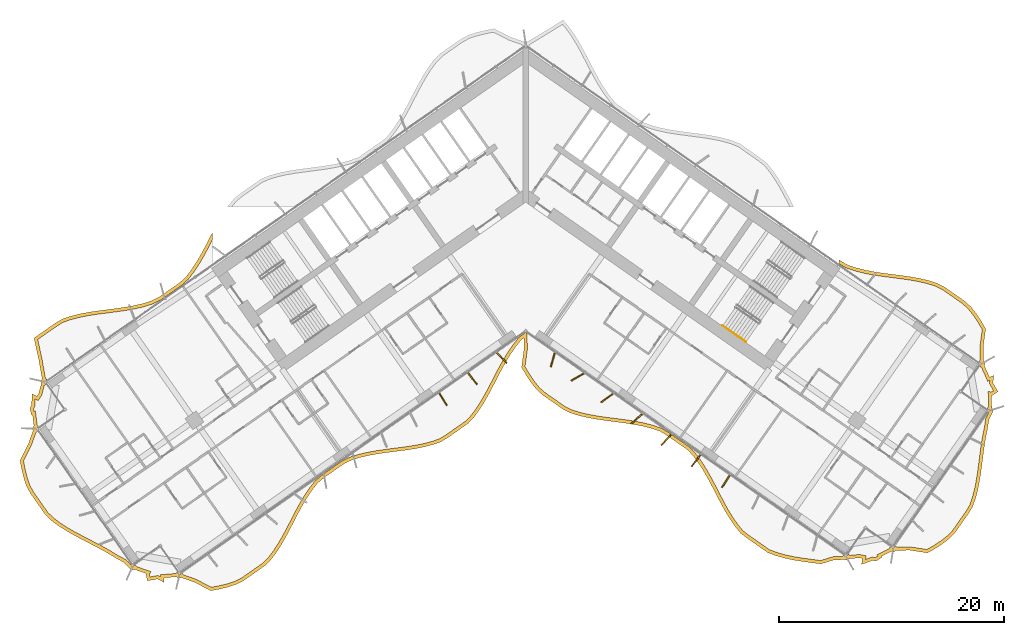
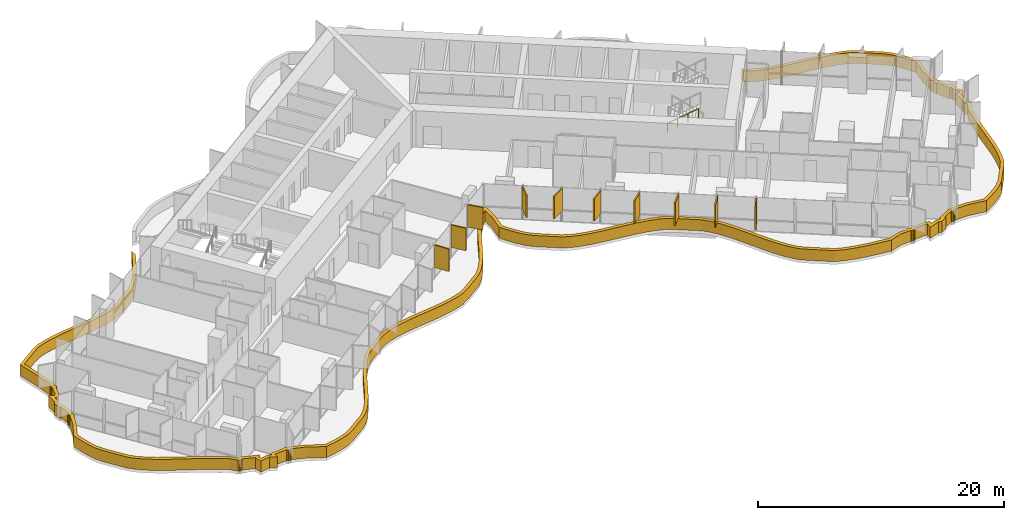
# One storey, part 20 of 23: 11 shading devices, 1 railing.
"""IFC4 building model written with IfcOpenShell, lengths in metres."""

from ifc_helpers import new_model, si_unit, direction, frame, origin, origin_2d, place, context, subcontext, project, spatial, polyline, rectangle, circle, outline, extrude, material, layer, layer_set, type_object, element, save


model = new_model("IFC4")

# Units and contexts
model_context = context("Model", 3, precision=1e-05, world=origin(), true_north=direction((0.0, 1.0)))
body_context = subcontext(model_context, "Body", "Model", "MODEL_VIEW")
ifc_project = project(units=[si_unit("LENGTHUNIT", "METRE"), si_unit("AREAUNIT", "SQUARE_METRE"), si_unit("VOLUMEUNIT", "CUBIC_METRE"), si_unit("PLANEANGLEUNIT", "RADIAN"), si_unit("MASSUNIT", "GRAM", prefix="KILO")], contexts=[model_context])

# Site, building, storey
site_placement = place(None, origin())
site = spatial("IfcSite", under=ifc_project, at=site_placement, CompositionType="ELEMENT")
building_placement = place(site_placement, origin())
building = spatial("IfcBuilding", under=site, at=building_placement, Name="Tel Ilan Convention Tower", CompositionType="ELEMENT")
storey_placement = place(building_placement, frame((0.0, 0.0, 83.300048828125)))
storey = spatial("IfcBuildingStorey", under=building, at=storey_placement, Name="L16", CompositionType="ELEMENT", Elevation=83.300048828125)

# Shading devices
ifc_material_1 = material(Name="Aluminium, bronze anodised", Category="aluminium")
ifc_layer_1 = layer(ifc_material_1, 0.1201171875)
ifc_layer_set_1 = layer_set([ifc_layer_1], Name="FIN BRONZE 1300x120")
shading_device_type_1 = type_object("IfcShadingDeviceType", Name="FIN BRONZE 1300x120", PredefinedType="USERDEFINED", material=ifc_layer_set_1)
for number, where, z_axis, x_axis, name in (
    (1, (-7.36181640625, -18.7685546875, 1.10009765625), (0.0, 0.0, 1.0), (0.533204432798, -0.845986425922, 0.0), "FIN"),
    (2, (-4.740234375, -16.932861328125, 1.10009765625), (0.0, 0.0, 1.0), (0.612600545196, -0.790392669516, 0.0), "FIN"),
    (3, (-2.119140625, -15.09716796875, 1.10009765625), (0.0, 0.0, 1.0), (0.686241637865, -0.727373641577, 0.0), "FIN"),
    (4, (2.40966796875, -15.27734375, 1.10009765625), (0.0, 0.0, 1.0), (-0.268172612768, -0.963370878614, 0.0), "FIN"),
    (5, (4.613037109375, -16.797607421875, 1.10009765625), (0.0, 0.0, 1.0), (-0.866025403784, -0.5, 0.0), "FIN"),
    (6, (7.2451171875, -18.663330078125, 1.10009765625), (0.0, 0.0, 1.0), (-0.813552070258, -0.581492071294, 0.0), "FIN"),
    (7, (9.882568359375, -20.525146484375, 1.10009765625), (0.0, 0.0, 1.0), (-0.753435896329, -0.657521368568, 0.0), "FIN"),
    (8, (12.524658203125, -22.383056640625, 1.10009765625), (0.0, 0.0, 1.0), (-0.686241637865, -0.727373641577, 0.0), "FIN"),
    (9, (15.1708984375, -24.236328125, 1.10009765625), (0.0, 0.0, 1.0), (-0.612600545196, -0.790392669516, 0.0), "FIN"),
    (10, (17.8173828125, -26.089599609375, 1.10009765625), (0.0, 0.0, 1.0), (-0.533204432798, -0.845986425922, 0.0), "FIN"),
):
    element("IfcShadingDevice", number, at=place(storey_placement, frame(where, z_axis=z_axis, x_axis=x_axis)), inside=storey, type_object=shading_device_type_1, Name=name, ObjectType="FIN", PredefinedType="USERDEFINED", context=body_context, shape_type="SweptSolid", body=[
        extrude(rectangle(XDim=1.300048828125, YDim=0.1201171875, at=origin_2d()), origin(), (0.0, 0.0, 1.0), 2.219970703125),
    ])
ifc_material_2 = material(Name="Aluminium, bronze anodised", Category="aluminium")
ifc_layer_2 = layer(ifc_material_2, 0.300048828125)
ifc_layer_set_2 = layer_set([ifc_layer_2], Name="LOUVRE BAND 300x1100")
shading_device_type_2 = type_object("IfcShadingDeviceType", Name="LOUVRE BAND 300x1100", PredefinedType="USERDEFINED", material=ifc_layer_set_2)
shading_device_placement = place(storey_placement, origin())
element("IfcShadingDevice", 11, at=shading_device_placement, inside=storey, type_object=shading_device_type_2, Name="LOUVRE BAND 15.01", ObjectType="LOUVRE", PredefinedType="USERDEFINED", context=body_context, shape_type="SweptSolid", body=[
    extrude(outline(polyline([(-44.2939453125, -22.77490234375), (-45.028564453125, -24.204833984375), (-44.876953125, -25.01416015625), (-44.68408203125, -25.794677734375), (-44.4384765625, -26.538330078125), (-44.07080078125, -27.196533203125), (-42.7802734375, -29.03955078125), (-42.232421875, -29.571533203125), (-41.598876953125, -30.04345703125), (-40.91650390625, -30.481201171875), (-40.196533203125, -30.892822265625), (-39.45263671875, -31.287353515625), (-37.949462890625, -32.066162109375), (-37.219970703125, -32.470947265625), (-36.523681640625, -32.89892578125), (-35.783203125, -33.2958984375), (-35.26318359375, -33.847412109375), (-35.258544921875, -33.843994140625), (-35.2294921875, -33.887451171875), (-35.13232421875, -33.952392578125), (-35.017578125, -33.975341796875), (-34.902587890625, -33.952392578125), (-34.8486328125, -33.91650390625), (-33.810546875, -34.284912109375), (-33.821533203125, -34.302734375), (-33.688720703125, -34.9423828125), (-32.80029296875, -34.774658203125), (-32.20068359375, -35.082763671875), (-32.199462890625, -34.66796875), (-31.080322265625, -34.580810546875), (-31.051513671875, -34.624267578125), (-30.9541015625, -34.689208984375), (-30.83935546875, -34.7119140625), (-30.724365234375, -34.689208984375), (-30.67041015625, -34.653076171875), (-29.47802734375, -35.069091796875), (-28.049560546875, -35.822265625), (-27.250732421875, -35.676025390625), (-26.48095703125, -35.488525390625), (-25.74609375, -35.2509765625), (-25.0888671875, -34.90234375), (-23.27490234375, -33.63232421875), (-22.733642578125, -33.117919921875), (-22.262939453125, -32.50341796875), (-21.826416015625, -31.839599609375), (-21.4169921875, -31.13720703125), (-21.026123046875, -30.408935546875), (-20.2607421875, -28.927978515625), (-19.86669921875, -28.20361328125), (-19.45263671875, -27.5078125), (-19.010009765625, -26.85302734375), (-18.53173828125, -26.249267578125), (-17.96875, -25.76611328125), (-16.154541015625, -24.495849609375), (-15.474853515625, -24.1796875), (-14.732666015625, -23.952880859375), (-13.95654296875, -23.774169921875), (-13.154296875, -23.6328125), (-12.334716796875, -23.516357421875), (-10.681640625, -23.30322265625), (-9.86767578125, -23.178466796875), (-9.074951171875, -23.023681640625), (-8.3115234375, -22.8271484375), (-7.584228515625, -22.57861328125), (-6.9482421875, -22.2001953125), (-5.134033203125, -20.929931640625), (-4.616455078125, -20.38232421875), (-4.15283203125, -19.75732421875), (-3.722412109375, -19.0849609375), (-3.3173828125, -18.37646484375), (-2.9287109375, -17.644287109375), (-2.16259765625, -16.16455078125), (-1.765380859375, -15.44482421875), (-1.346435546875, -14.75634765625), (-0.897216796875, -14.110595703125), (-0.422119140625, -13.502197265625), (-0.16845703125, -13.315185546875), (-0.153564453125, -14.330078125), (-0.367919921875, -15.928955078125), (0.045166015625, -16.631591796875), (0.487060546875, -17.29296875), (0.964599609375, -17.90380859375), (1.52197265625, -18.400634765625), (3.343994140625, -19.676513671875), (4.02001953125, -20.003662109375), (4.763427734375, -20.234375), (5.54150390625, -20.416015625), (6.34619140625, -20.559326171875), (7.1689453125, -20.67724609375), (8.829345703125, -20.89111328125), (9.647216796875, -21.015625), (10.444091796875, -21.17041015625), (11.211669921875, -21.366943359375), (11.9423828125, -21.61572265625), (12.582275390625, -21.99462890625), (14.404541015625, -23.2705078125), (14.92333984375, -23.822021484375), (15.388427734375, -24.450439453125), (15.8203125, -25.12646484375), (16.2265625, -25.8388671875), (16.61669921875, -26.574462890625), (17.38623046875, -28.060546875), (17.785888671875, -28.782470703125), (18.2080078125, -29.47216796875), (18.660888671875, -30.1181640625), (19.1513671875, -30.71044921875), (19.742431640625, -31.158935546875), (21.564697265625, -32.4345703125), (22.281005859375, -32.7041015625), (23.03662109375, -32.917724609375), (23.824462890625, -33.08544921875), (24.635986328125, -33.218994140625), (26.29443359375, -33.435546875), (27.448974609375, -33.079345703125), (28.376953125, -33.047119140625), (28.430908203125, -33.083251953125), (28.545654296875, -33.10595703125), (28.660400390625, -33.083251953125), (28.7578125, -33.01806640625), (28.786865234375, -32.974853515625), (29.716796875, -32.8935546875), (29.97412109375, -32.9453125), (29.9072265625, -33.476806640625), (30.8779296875, -33.126708984375), (31.183837890625, -33.188232421875), (31.7392578125, -32.8447265625), (31.685546875, -32.75439453125), (32.554931640625, -32.310302734375), (32.609130859375, -32.346435546875), (32.723876953125, -32.369384765625), (32.838623046875, -32.346435546875), (32.93603515625, -32.281494140625), (32.96484375, -32.238037109375), (34.16845703125, -32.208740234375), (35.769775390625, -32.4580078125), (36.4619140625, -32.07080078125), (37.104736328125, -31.64892578125), (37.701904296875, -31.195068359375), (38.212890625, -30.680908203125), (39.44189453125, -28.925537109375), (39.810791015625, -28.311767578125), (40.0537109375, -27.60986328125), (40.247314453125, -26.87353515625), (40.40087890625, -26.109130859375), (40.52490234375, -25.323974609375), (40.841064453125, -22.929443359375), (40.969970703125, -22.147705078125), (41.12841796875, -21.386474609375), (41.24267578125, -20.594482421875), (41.568603515625, -19.963134765625), (41.568603515625, -19.950927734375), (41.604736328125, -19.896728515625), (41.62744140625, -19.781982421875), (41.604736328125, -19.667236328125), (41.53955078125, -19.56982421875), (41.496337890625, -19.541015625), (41.487548828125, -18.439453125), (41.508056640625, -18.443603515625), (42.063720703125, -18.10009765625), (41.602294921875, -17.322509765625), (41.686767578125, -16.65380859375), (41.29638671875, -16.79443359375), (40.831787109375, -15.772705078125), (40.867919921875, -15.71875), (40.890869140625, -15.603759765625), (40.867919921875, -15.489013671875), (40.802978515625, -15.3916015625), (40.759521484375, -15.36279296875), (40.743408203125, -14.096435546875), (40.96044921875, -12.496826171875), (40.548828125, -11.795654296875), (40.108154296875, -11.13525390625), (39.63232421875, -10.525390625), (39.078125, -10.02783203125), (37.260498046875, -8.755126953125), (36.5888671875, -8.4248046875), (35.84814453125, -8.193115234375), (35.072998046875, -8.0107421875), (34.27099609375, -7.86669921875), (33.450927734375, -7.748779296875), (31.79443359375, -7.535400390625), (30.97802734375, -7.412109375), (30.181884765625, -7.259521484375), (29.414794921875, -7.0654296875), (28.68408203125, -6.820068359375), (28.040283203125, -6.44970703125), (27.874755859375, -6.333740234375), (27.874755859375, -6.70068359375), (28.560302734375, -7.094970703125), (29.330322265625, -7.353515625), (30.116943359375, -7.552490234375), (30.92724609375, -7.707763671875), (31.752685546875, -7.83251953125), (33.41064453125, -8.0458984375), (34.22314453125, -8.162841796875), (35.01220703125, -8.3046875), (35.76904296875, -8.482666015625), (36.477294921875, -8.7041015625), (37.107421875, -9.01416015625), (38.89111328125, -10.26318359375), (39.412109375, -10.73095703125), (39.86474609375, -11.31103515625), (40.29443359375, -11.954833984375), (40.649169921875, -12.559326171875), (40.443115234375, -14.07861328125), (40.46142578125, -15.265625), (40.344970703125, -15.431640625), (40.5908203125, -15.603759765625), (40.41943359375, -15.85009765625), (40.596923828125, -15.974365234375), (41.13720703125, -17.1708984375), (41.327880859375, -17.10205078125), (41.291748046875, -17.38720703125), (41.6552734375, -17.999755859375), (41.451171875, -18.1259765625), (41.18359375, -18.072265625), (41.198486328125, -19.443115234375), (41.081787109375, -19.60986328125), (41.327392578125, -19.781982421875), (41.156005859375, -20.0283203125), (41.186279296875, -20.04931640625), (40.952880859375, -20.501708984375), (40.832763671875, -21.33447265625), (40.675048828125, -22.0927734375), (40.54443359375, -22.884521484375), (40.22802734375, -25.28076171875), (40.10546875, -26.05615234375), (39.955078125, -26.8056640625), (39.766357421875, -27.5224609375), (39.53759765625, -28.18408203125), (39.190185546875, -28.761962890625), (37.98193359375, -30.48779296875), (37.50390625, -30.96875), (36.931640625, -31.40380859375), (36.30615234375, -31.814208984375), (35.713623046875, -32.145751953125), (34.1875, -31.908203125), (33.060546875, -31.938720703125), (32.89599609375, -31.823486328125), (32.723876953125, -32.0693359375), (32.4775390625, -31.89794921875), (32.34912109375, -32.08154296875), (31.26416015625, -32.6318359375), (31.3310546875, -32.74462890625), (31.126708984375, -32.870849609375), (30.854736328125, -32.816162109375), (30.26611328125, -33.028564453125), (30.306884765625, -32.7060546875), (29.73291015625, -32.5908203125), (28.87353515625, -32.66943359375), (28.7177734375, -32.560302734375), (28.545654296875, -32.805908203125), (28.299560546875, -32.634521484375), (28.214111328125, -32.75634765625), (27.3994140625, -32.78076171875), (26.267822265625, -33.1298828125), (24.6806640625, -32.922119140625), (23.8798828125, -32.79052734375), (23.10888671875, -32.626220703125), (22.374755859375, -32.4189453125), (21.70556640625, -32.167236328125), (19.919189453125, -30.91650390625), (19.3603515625, -30.492431640625), (18.899658203125, -29.936279296875), (18.459228515625, -29.3076171875), (18.04541015625, -28.63134765625), (17.650634765625, -27.91845703125), (16.882568359375, -26.435791015625), (16.489501953125, -25.694091796875), (16.0771484375, -24.97119140625), (15.6357421875, -24.2802734375), (15.154052734375, -23.629150390625), (14.601806640625, -23.04248046875), (12.7451171875, -21.742431640625), (12.068603515625, -21.341796875), (11.29736328125, -21.0791015625), (10.510009765625, -20.87744140625), (9.698486328125, -20.719970703125), (8.871337890625, -20.593994140625), (7.209228515625, -20.3798828125), (6.393798828125, -20.26318359375), (5.60205078125, -20.1220703125), (4.84228515625, -19.94482421875), (4.13037109375, -19.723876953125), (3.496337890625, -19.4169921875), (1.70849609375, -18.1650390625), (1.184326171875, -17.697998046875), (0.73046875, -17.1171875), (0.299560546875, -16.471923828125), (-0.056884765625, -15.8662109375), (0.146728515625, -14.347900390625), (0.125732421875, -12.906005859375), (0.0, -12.818115234375), (-0.63330078125, -13.285400390625), (-1.138916015625, -13.9326171875), (-1.597900390625, -14.592529296875), (-2.025146484375, -15.294189453125), (-2.427001953125, -16.022705078125), (-3.19482421875, -17.50537109375), (-3.580078125, -18.231689453125), (-3.979248046875, -18.929443359375), (-4.39990234375, -19.5869140625), (-4.8466796875, -20.189208984375), (-5.3310546875, -20.70166015625), (-7.111083984375, -21.947998046875), (-7.7109375, -22.304931640625), (-8.3974609375, -22.53955078125), (-9.14111328125, -22.73095703125), (-9.919189453125, -22.8828125), (-10.723876953125, -23.006103515625), (-12.374755859375, -23.218994140625), (-13.201416015625, -23.33642578125), (-14.016357421875, -23.47998046875), (-14.810302734375, -23.662841796875), (-15.58251953125, -23.89892578125), (-16.30517578125, -24.235107421875), (-17.843017578125, -25.31201171875), (-18.15283203125, -25.52880859375), (-18.748779296875, -26.040283203125), (-19.252197265625, -26.675537109375), (-19.7060546875, -27.346923828125), (-20.12744140625, -28.05517578125), (-20.525634765625, -28.787109375), (-21.29150390625, -30.26904296875), (-21.678955078125, -30.99072265625), (-22.08154296875, -31.681640625), (-22.507568359375, -32.32958984375), (-22.95751953125, -32.916748046875), (-23.46533203125, -33.3994140625), (-25.245849609375, -34.64599609375), (-25.86328125, -34.9736328125), (-26.5625, -35.19970703125), (-27.313232421875, -35.38232421875), (-28.00146484375, -35.508544921875), (-29.3583984375, -34.79296875), (-30.477294921875, -34.406005859375), (-30.593017578125, -34.24072265625), (-30.83935546875, -34.412109375), (-31.011474609375, -34.166259765625), (-31.189697265625, -34.291015625), (-32.498779296875, -34.3896484375), (-32.499267578125, -34.59228515625), (-32.7548828125, -34.4609375), (-33.454833984375, -34.593017578125), (-33.503662109375, -34.35791015625), (-33.361572265625, -34.124755859375), (-34.655029296875, -33.669921875), (-34.771240234375, -33.50390625), (-35.017578125, -33.67529296875), (-35.189453125, -33.429443359375), (-35.222900390625, -33.452880859375), (-35.598388671875, -33.054443359375), (-36.374267578125, -32.638671875), (-37.068603515625, -32.211669921875), (-37.807373046875, -31.802001953125), (-39.313720703125, -31.021240234375), (-40.052001953125, -30.6298828125), (-40.760986328125, -30.224609375), (-41.42822265625, -29.796630859375), (-42.03759765625, -29.342529296875), (-42.551025390625, -28.84423828125), (-43.81640625, -27.036865234375), (-44.16259765625, -26.4169921875), (-44.3955078125, -25.71142578125), (-44.583740234375, -24.950439453125), (-44.71484375, -24.25048828125), (-44.017822265625, -22.8935546875), (-43.61572265625, -21.75048828125), (-43.44970703125, -21.63427734375), (-43.62109375, -21.387939453125), (-43.37548828125, -21.216064453125), (-43.50439453125, -21.03173828125), (-43.650390625, -19.823974609375), (-43.779296875, -19.84814453125), (-43.828125, -19.613037109375), (-43.683837890625, -19.376220703125), (-43.681884765625, -18.75048828125), (-43.392822265625, -18.89892578125), (-43.088134765625, -18.399169921875), (-42.8681640625, -17.564697265625), (-42.712890625, -17.4560546875), (-42.88427734375, -17.2099609375), (-42.638671875, -17.037841796875), (-42.772705078125, -16.846435546875), (-43.07080078125, -15.1611328125), (-43.445556640625, -13.4521484375), (-41.779296875, -12.285400390625), (-41.1748046875, -11.917724609375), (-40.481201171875, -11.678466796875), (-39.728515625, -11.483642578125), (-38.940185546875, -11.32958984375), (-38.125, -11.204833984375), (-36.4521484375, -10.9892578125), (-35.61474609375, -10.869140625), (-34.790283203125, -10.7216796875), (-33.988037109375, -10.532958984375), (-33.2060546875, -10.2880859375), (-32.48779296875, -9.93017578125), (-30.61474609375, -8.61865234375), (-30.02783203125, -8.073974609375), (-29.527587890625, -7.424560546875), (-29.074462890625, -6.73681640625), (-28.652587890625, -6.013916015625), (-28.2529296875, -5.268798828125), (-27.874755859375, -4.535400390625), (-27.874755859375, -3.883544921875), (-28.518310546875, -5.129150390625), (-28.91455078125, -5.8671875), (-29.329345703125, -6.57861328125), (-29.772216796875, -7.250244140625), (-30.250244140625, -7.87109375), (-30.8037109375, -8.384765625), (-32.6416015625, -9.671630859375), (-33.318603515625, -10.0087890625), (-34.067138671875, -10.243408203125), (-34.85107421875, -10.427734375), (-35.66259765625, -10.572998046875), (-36.4921875, -10.69189453125), (-38.167236328125, -10.90771484375), (-38.99169921875, -11.033935546875), (-39.794921875, -11.19091796875), (-40.56787109375, -11.390869140625), (-41.30322265625, -11.64453125), (-41.943359375, -12.0341796875), (-43.78125, -13.321044921875), (-43.364990234375, -15.219482421875), (-43.05322265625, -16.96875), (-43.096435546875, -16.997802734375), (-43.16162109375, -17.094970703125), (-43.184326171875, -17.2099609375), (-43.16162109375, -17.32470703125), (-43.12548828125, -17.378662109375), (-43.3671875, -18.2802734375), (-43.50390625, -18.504638671875), (-43.98046875, -18.259765625), (-43.9833984375, -19.291748046875), (-44.14599609375, -19.55810546875), (-44.01318359375, -20.197509765625), (-43.90966796875, -20.177978515625), (-43.7900390625, -21.14697265625), (-43.833251953125, -21.17578125), (-43.898193359375, -21.273193359375), (-43.921142578125, -21.387939453125), (-43.898193359375, -21.5029296875), (-43.8623046875, -21.556884765625), (-44.2939453125, -22.77490234375)])), origin(), (0.0, 0.0, 1.0), 1.099853515625),
])

# Railing
ifc_material_3 = material(Name="Stainless Steel Grade 316", Category="steel")
railing_type = type_object("IfcRailingType", Name="Stainless Steel Stair Handrail 900 mm", PredefinedType="HANDRAIL", material=ifc_material_3)
railing_placement = place(storey_placement, frame((17.542236328125, -12.22216796875, 1.97998046875)))
element("IfcRailing", 12, at=railing_placement, inside=storey, type_object=railing_type, Name="L16 S4 stair handrail 2", PredefinedType="HANDRAIL", context=body_context, shape_type="SweptSolid", body=[
    extrude(circle(Radius=0.02392578125, at=origin_2d()), frame((0.0, 0.0, 0.8759765625), z_axis=(0.68907047291, -0.482471578903, 0.540743061828), x_axis=(0.573559875649, 0.819163639968, 0.0)), (0.0, 0.0, 1.0), 2.99560546875),
    extrude(circle(Radius=0.02099609375, at=origin_2d()), origin(), (0.0, 0.0, 1.0), 0.851806640625),
    extrude(circle(Radius=0.02099609375, at=origin_2d()), frame((0.68798828125, -0.481689453125, 0.5400390625)), (0.0, 0.0, 1.0), 0.851806640625),
    extrude(circle(Radius=0.02099609375, at=origin_2d()), frame((1.376220703125, -0.963623046875, 1.079833984375)), (0.0, 0.0, 1.0), 0.851806640625),
    extrude(circle(Radius=0.02099609375, at=origin_2d()), frame((2.064208984375, -1.4453125, 1.619873046875)), (0.0, 0.0, 1.0), 0.851806640625),
])

save(model, "model.ifc")
